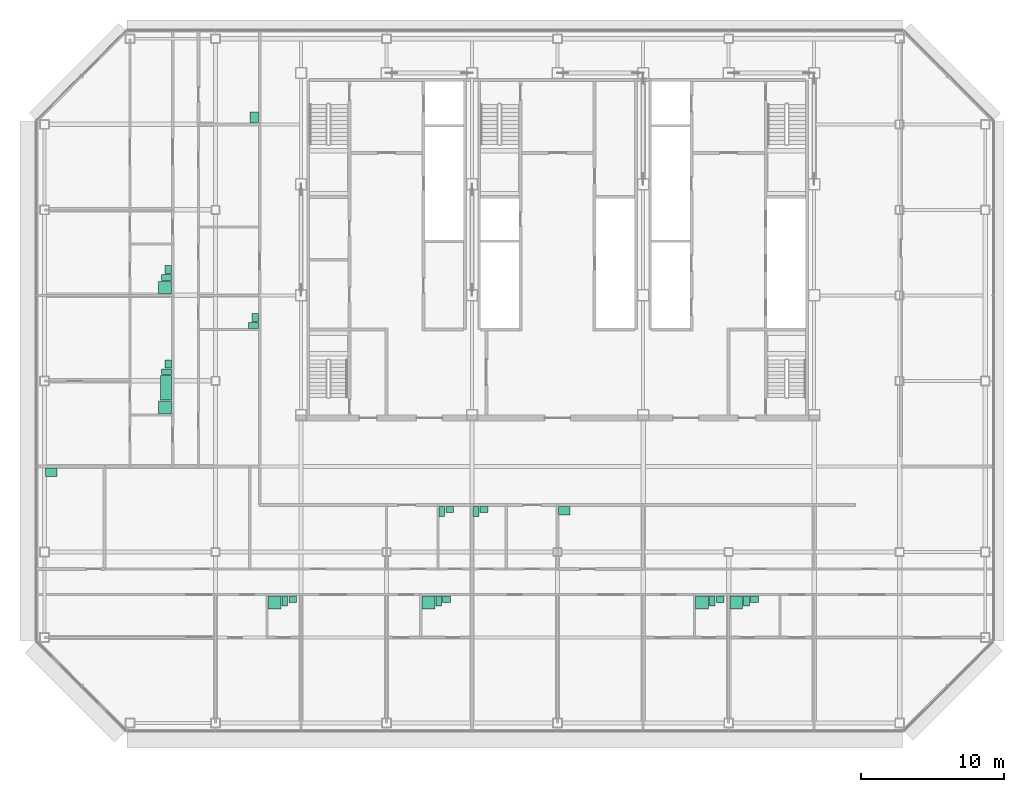
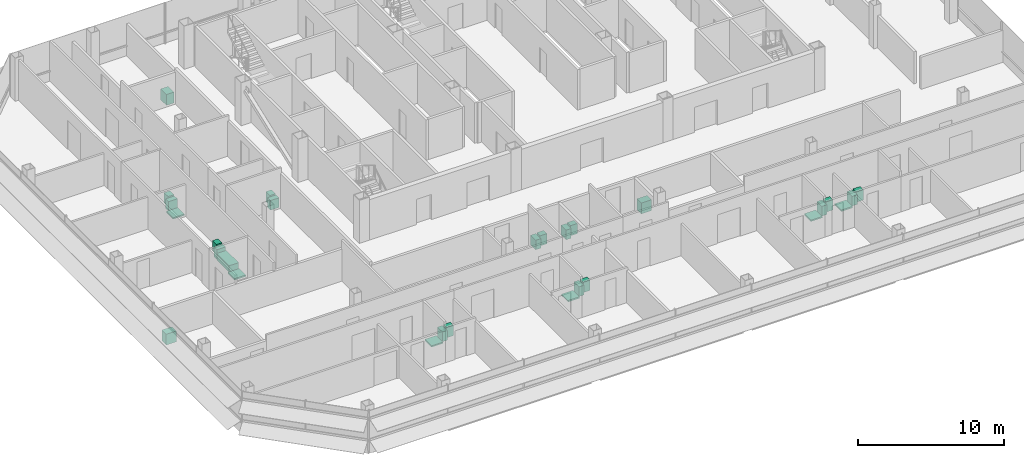
# One storey, part 27 of 27: 28 sanitary terminals.
"""IFC4 building model written with IfcOpenShell, lengths in metres."""

from ifc_helpers import new_model, si_unit, direction, frame, origin, origin_2d, place, context, subcontext, project, spatial, rectangle, extrude, element, save


model = new_model("IFC4")

# Units and contexts
model_context = context("Model", 3, precision=1e-05, world=origin(), true_north=direction((0.0, 1.0)))
body_context = subcontext(model_context, "Body", "Model", "MODEL_VIEW")
ifc_project = project(units=[si_unit("LENGTHUNIT", "METRE"), si_unit("AREAUNIT", "SQUARE_METRE"), si_unit("VOLUMEUNIT", "CUBIC_METRE"), si_unit("PLANEANGLEUNIT", "RADIAN"), si_unit("MASSUNIT", "GRAM", prefix="KILO")], contexts=[model_context])

# Site, building, storey
site_placement = place(None, origin())
site = spatial("IfcSite", under=ifc_project, at=site_placement, CompositionType="ELEMENT")
building_placement = place(site_placement, origin())
building = spatial("IfcBuilding", under=site, at=building_placement, Name="Sorahane Residences", CompositionType="ELEMENT")
storey_placement = place(building_placement, frame((0.0, 0.0, 206.39990234375)))
storey = spatial("IfcBuildingStorey", under=building, at=storey_placement, Name="L48", CompositionType="ELEMENT", Elevation=206.39990234375)

# Sanitary terminals
sanitary_terminal_1_placement = place(storey_placement, frame((4.1298828125, 8.449951171875, 0.0), z_axis=(0.0, 0.0, 1.0), x_axis=(1.0, 0.0, 0.0)))
element("IfcSanitaryTerminal", 1, at=sanitary_terminal_1_placement, inside=storey, Name="Shower tray En-suite bathroom 48A", PredefinedType="SHOWER", context=body_context, shape_type="SweptSolid", body=[
    extrude(rectangle(XDim=0.89990234375, YDim=0.89990234375, at=origin_2d()), origin(), (0.0, 0.0, 1.0), 0.1201171875),
])
sanitary_terminal_2_placement = place(storey_placement, frame((4.860107421875, 8.550048828125, 0.0), z_axis=(0.0, 0.0, 1.0), x_axis=(1.0, 0.0, 0.0)))
element("IfcSanitaryTerminal", 2, at=sanitary_terminal_2_placement, inside=storey, Name="WC pan En-suite bathroom 48A", PredefinedType="TOILETPAN", context=body_context, shape_type="SweptSolid", body=[
    extrude(rectangle(XDim=0.39990234375, YDim=0.699951171875, at=origin_2d()), origin(), (0.0, 0.0, 1.0), 0.800048828125),
])
sanitary_terminal_3_placement = place(storey_placement, frame((5.4150390625, 8.675048828125, 0.0), z_axis=(0.0, 0.0, 1.0), x_axis=(1.0, 0.0, 0.0)))
element("IfcSanitaryTerminal", 3, at=sanitary_terminal_3_placement, inside=storey, Name="Wash basin En-suite bathroom 48A", PredefinedType="WASHHANDBASIN", context=body_context, shape_type="SweptSolid", body=[
    extrude(rectangle(XDim=0.550048828125, YDim=0.449951171875, at=origin_2d()), origin(), (0.0, 0.0, 1.0), 0.85009765625),
])
sanitary_terminal_4_placement = place(storey_placement, frame((14.929931640625, 8.449951171875, 0.0), z_axis=(0.0, 0.0, 1.0), x_axis=(1.0, 0.0, 0.0)))
element("IfcSanitaryTerminal", 4, at=sanitary_terminal_4_placement, inside=storey, Name="Shower tray En-suite bathroom 48A-2", PredefinedType="SHOWER", context=body_context, shape_type="SweptSolid", body=[
    extrude(rectangle(XDim=0.89990234375, YDim=0.89990234375, at=origin_2d()), origin(), (0.0, 0.0, 1.0), 0.1201171875),
])
sanitary_terminal_5_placement = place(storey_placement, frame((15.659912109375, 8.550048828125, 0.0), z_axis=(0.0, 0.0, 1.0), x_axis=(1.0, 0.0, 0.0)))
element("IfcSanitaryTerminal", 5, at=sanitary_terminal_5_placement, inside=storey, Name="WC pan En-suite bathroom 48A-2", PredefinedType="TOILETPAN", context=body_context, shape_type="SweptSolid", body=[
    extrude(rectangle(XDim=0.39990234375, YDim=0.699951171875, at=origin_2d()), origin(), (0.0, 0.0, 1.0), 0.800048828125),
])
sanitary_terminal_6_placement = place(storey_placement, frame((16.215087890625, 8.675048828125, 0.0), z_axis=(0.0, 0.0, 1.0), x_axis=(1.0, 0.0, 0.0)))
element("IfcSanitaryTerminal", 6, at=sanitary_terminal_6_placement, inside=storey, Name="Wash basin En-suite bathroom 48A-2", PredefinedType="WASHHANDBASIN", context=body_context, shape_type="SweptSolid", body=[
    extrude(rectangle(XDim=0.550048828125, YDim=0.449951171875, at=origin_2d()), origin(), (0.0, 0.0, 1.0), 0.85009765625),
])
sanitary_terminal_7_placement = place(storey_placement, frame((-11.52001953125, 17.60009765625, 0.000244140625), z_axis=(0.0, 0.0, 1.0), x_axis=(1.0, 0.0, 0.0)))
element("IfcSanitaryTerminal", 7, at=sanitary_terminal_7_placement, inside=storey, Name="Kitchen sink Kitchen 48A", PredefinedType="SINK", context=body_context, shape_type="SweptSolid", body=[
    extrude(rectangle(XDim=0.800048828125, YDim=0.60009765625, at=origin_2d()), origin(), (0.0, 0.0, 1.0), 0.89990234375),
])
sanitary_terminal_8_placement = place(storey_placement, frame((15.8798828125, 14.85009765625, 0.0), z_axis=(0.0, 0.0, 1.0), x_axis=(1.0, 0.0, 0.0)))
element("IfcSanitaryTerminal", 8, at=sanitary_terminal_8_placement, inside=storey, Name="WC pan Powder room 48A", PredefinedType="TOILETPAN", context=body_context, shape_type="SweptSolid", body=[
    extrude(rectangle(XDim=0.39990234375, YDim=0.699951171875, at=origin_2d()), origin(), (0.0, 0.0, 1.0), 0.800048828125),
])
sanitary_terminal_9_placement = place(storey_placement, frame((16.43505859375, 14.97509765625, 0.0), z_axis=(0.0, 0.0, 1.0), x_axis=(1.0, 0.0, 0.0)))
element("IfcSanitaryTerminal", 9, at=sanitary_terminal_9_placement, inside=storey, Name="Wash basin Powder room 48A", PredefinedType="WASHHANDBASIN", context=body_context, shape_type="SweptSolid", body=[
    extrude(rectangle(XDim=0.550048828125, YDim=0.449951171875, at=origin_2d()), origin(), (0.0, 0.0, 1.0), 0.85009765625),
])
sanitary_terminal_10_placement = place(storey_placement, frame((34.1298828125, 8.449951171875, 0.0), z_axis=(0.0, 0.0, 1.0), x_axis=(1.0, 0.0, 0.0)))
element("IfcSanitaryTerminal", 10, at=sanitary_terminal_10_placement, inside=storey, Name="Shower tray En-suite bathroom 48B", PredefinedType="SHOWER", context=body_context, shape_type="SweptSolid", body=[
    extrude(rectangle(XDim=0.89990234375, YDim=0.89990234375, at=origin_2d()), origin(), (0.0, 0.0, 1.0), 0.1201171875),
])
sanitary_terminal_11_placement = place(storey_placement, frame((34.860107421875, 8.550048828125, 0.0), z_axis=(0.0, 0.0, 1.0), x_axis=(1.0, 0.0, 0.0)))
element("IfcSanitaryTerminal", 11, at=sanitary_terminal_11_placement, inside=storey, Name="WC pan En-suite bathroom 48B", PredefinedType="TOILETPAN", context=body_context, shape_type="SweptSolid", body=[
    extrude(rectangle(XDim=0.39990234375, YDim=0.699951171875, at=origin_2d()), origin(), (0.0, 0.0, 1.0), 0.800048828125),
])
sanitary_terminal_12_placement = place(storey_placement, frame((35.4150390625, 8.675048828125, 0.0), z_axis=(0.0, 0.0, 1.0), x_axis=(1.0, 0.0, 0.0)))
element("IfcSanitaryTerminal", 12, at=sanitary_terminal_12_placement, inside=storey, Name="Wash basin En-suite bathroom 48B", PredefinedType="WASHHANDBASIN", context=body_context, shape_type="SweptSolid", body=[
    extrude(rectangle(XDim=0.550048828125, YDim=0.449951171875, at=origin_2d()), origin(), (0.0, 0.0, 1.0), 0.85009765625),
])
sanitary_terminal_13_placement = place(storey_placement, frame((36.530029296875, 8.449951171875, 0.0), z_axis=(0.0, 0.0, 1.0), x_axis=(1.0, 0.0, 0.0)))
element("IfcSanitaryTerminal", 13, at=sanitary_terminal_13_placement, inside=storey, Name="Shower tray En-suite bathroom 48B-2", PredefinedType="SHOWER", context=body_context, shape_type="SweptSolid", body=[
    extrude(rectangle(XDim=0.89990234375, YDim=0.89990234375, at=origin_2d()), origin(), (0.0, 0.0, 1.0), 0.1201171875),
])
sanitary_terminal_14_placement = place(storey_placement, frame((37.260009765625, 8.550048828125, 0.0), z_axis=(0.0, 0.0, 1.0), x_axis=(1.0, 0.0, 0.0)))
element("IfcSanitaryTerminal", 14, at=sanitary_terminal_14_placement, inside=storey, Name="WC pan En-suite bathroom 48B-2", PredefinedType="TOILETPAN", context=body_context, shape_type="SweptSolid", body=[
    extrude(rectangle(XDim=0.39990234375, YDim=0.699951171875, at=origin_2d()), origin(), (0.0, 0.0, 1.0), 0.800048828125),
])
sanitary_terminal_15_placement = place(storey_placement, frame((37.81494140625, 8.675048828125, 0.0), z_axis=(0.0, 0.0, 1.0), x_axis=(1.0, 0.0, 0.0)))
element("IfcSanitaryTerminal", 15, at=sanitary_terminal_15_placement, inside=storey, Name="Wash basin En-suite bathroom 48B-2", PredefinedType="WASHHANDBASIN", context=body_context, shape_type="SweptSolid", body=[
    extrude(rectangle(XDim=0.550048828125, YDim=0.449951171875, at=origin_2d()), origin(), (0.0, 0.0, 1.0), 0.85009765625),
])
sanitary_terminal_16_placement = place(storey_placement, frame((18.280029296875, 14.85009765625, 0.0), z_axis=(0.0, 0.0, 1.0), x_axis=(1.0, 0.0, 0.0)))
element("IfcSanitaryTerminal", 16, at=sanitary_terminal_16_placement, inside=storey, Name="WC pan Guest WC 48B", PredefinedType="TOILETPAN", context=body_context, shape_type="SweptSolid", body=[
    extrude(rectangle(XDim=0.39990234375, YDim=0.699951171875, at=origin_2d()), origin(), (0.0, 0.0, 1.0), 0.800048828125),
])
sanitary_terminal_17_placement = place(storey_placement, frame((18.8349609375, 14.97509765625, 0.0), z_axis=(0.0, 0.0, 1.0), x_axis=(1.0, 0.0, 0.0)))
element("IfcSanitaryTerminal", 17, at=sanitary_terminal_17_placement, inside=storey, Name="Wash basin Guest WC 48B", PredefinedType="WASHHANDBASIN", context=body_context, shape_type="SweptSolid", body=[
    extrude(rectangle(XDim=0.550048828125, YDim=0.449951171875, at=origin_2d()), origin(), (0.0, 0.0, 1.0), 0.85009765625),
])
sanitary_terminal_18_placement = place(storey_placement, frame((24.47998046875, 14.89990234375, 0.000244140625), z_axis=(0.0, 0.0, 1.0), x_axis=(1.0, 0.0, 0.0)))
element("IfcSanitaryTerminal", 18, at=sanitary_terminal_18_placement, inside=storey, Name="Kitchen sink Kitchen 48B", PredefinedType="SINK", context=body_context, shape_type="SweptSolid", body=[
    extrude(rectangle(XDim=0.800048828125, YDim=0.60009765625, at=origin_2d()), origin(), (0.0, 0.0, 1.0), 0.89990234375),
])
sanitary_terminal_19_placement = place(storey_placement, frame((-3.550048828125, 22.1298828125, 0.0), z_axis=(0.0, 0.0, 1.0), x_axis=(0.0, -1.0, 0.0)))
element("IfcSanitaryTerminal", 19, at=sanitary_terminal_19_placement, inside=storey, Name="Shower tray En-suite bathroom 48C", PredefinedType="SHOWER", context=body_context, shape_type="SweptSolid", body=[
    extrude(rectangle(XDim=0.89990234375, YDim=0.89990234375, at=origin_2d()), origin(), (0.0, 0.0, 1.0), 0.1201171875),
])
sanitary_terminal_20_placement = place(storey_placement, frame((-3.47509765625, 23.510009765625, 0.0), z_axis=(0.0, 0.0, 1.0), x_axis=(0.0, -1.0, 0.0)))
element("IfcSanitaryTerminal", 20, at=sanitary_terminal_20_placement, inside=storey, Name="Bath En-suite bathroom 48C", PredefinedType="BATH", context=body_context, shape_type="SweptSolid", body=[
    extrude(rectangle(XDim=1.699951171875, YDim=0.75, at=origin_2d()), origin(), (0.0, 0.0, 1.0), 0.56005859375),
])
sanitary_terminal_21_placement = place(storey_placement, frame((-3.449951171875, 24.639892578125, 0.0), z_axis=(0.0, 0.0, 1.0), x_axis=(0.0, -1.0, 0.0)))
element("IfcSanitaryTerminal", 21, at=sanitary_terminal_21_placement, inside=storey, Name="WC pan En-suite bathroom 48C", PredefinedType="TOILETPAN", context=body_context, shape_type="SweptSolid", body=[
    extrude(rectangle(XDim=0.39990234375, YDim=0.699951171875, at=origin_2d()), origin(), (0.0, 0.0, 1.0), 0.800048828125),
])
sanitary_terminal_22_placement = place(storey_placement, frame((-3.324951171875, 25.195068359375, 0.0), z_axis=(0.0, 0.0, 1.0), x_axis=(0.0, -1.0, 0.0)))
element("IfcSanitaryTerminal", 22, at=sanitary_terminal_22_placement, inside=storey, Name="Wash basin En-suite bathroom 48C", PredefinedType="WASHHANDBASIN", context=body_context, shape_type="SweptSolid", body=[
    extrude(rectangle(XDim=0.550048828125, YDim=0.449951171875, at=origin_2d()), origin(), (0.0, 0.0, 1.0), 0.85009765625),
])
sanitary_terminal_23_placement = place(storey_placement, frame((-3.550048828125, 30.530029296875, 0.0), z_axis=(0.0, 0.0, 1.0), x_axis=(0.0, -1.0, 0.0)))
element("IfcSanitaryTerminal", 23, at=sanitary_terminal_23_placement, inside=storey, Name="Shower tray En-suite bathroom 48C-2", PredefinedType="SHOWER", context=body_context, shape_type="SweptSolid", body=[
    extrude(rectangle(XDim=0.89990234375, YDim=0.89990234375, at=origin_2d()), origin(), (0.0, 0.0, 1.0), 0.1201171875),
])
sanitary_terminal_24_placement = place(storey_placement, frame((-3.449951171875, 31.260009765625, 0.0), z_axis=(0.0, 0.0, 1.0), x_axis=(0.0, -1.0, 0.0)))
element("IfcSanitaryTerminal", 24, at=sanitary_terminal_24_placement, inside=storey, Name="WC pan En-suite bathroom 48C-2", PredefinedType="TOILETPAN", context=body_context, shape_type="SweptSolid", body=[
    extrude(rectangle(XDim=0.39990234375, YDim=0.699951171875, at=origin_2d()), origin(), (0.0, 0.0, 1.0), 0.800048828125),
])
sanitary_terminal_25_placement = place(storey_placement, frame((-3.324951171875, 31.81494140625, 0.0), z_axis=(0.0, 0.0, 1.0), x_axis=(0.0, -1.0, 0.0)))
element("IfcSanitaryTerminal", 25, at=sanitary_terminal_25_placement, inside=storey, Name="Wash basin En-suite bathroom 48C-2", PredefinedType="WASHHANDBASIN", context=body_context, shape_type="SweptSolid", body=[
    extrude(rectangle(XDim=0.550048828125, YDim=0.449951171875, at=origin_2d()), origin(), (0.0, 0.0, 1.0), 0.85009765625),
])
sanitary_terminal_26_placement = place(storey_placement, frame((2.64990234375, 27.8798828125, 0.0), z_axis=(0.0, 0.0, 1.0), x_axis=(0.0, -1.0, 0.0)))
element("IfcSanitaryTerminal", 26, at=sanitary_terminal_26_placement, inside=storey, Name="WC pan Powder room 48C", PredefinedType="TOILETPAN", context=body_context, shape_type="SweptSolid", body=[
    extrude(rectangle(XDim=0.39990234375, YDim=0.699951171875, at=origin_2d()), origin(), (0.0, 0.0, 1.0), 0.800048828125),
])
sanitary_terminal_27_placement = place(storey_placement, frame((2.77490234375, 28.43505859375, 0.0), z_axis=(0.0, 0.0, 1.0), x_axis=(0.0, -1.0, 0.0)))
element("IfcSanitaryTerminal", 27, at=sanitary_terminal_27_placement, inside=storey, Name="Wash basin Powder room 48C", PredefinedType="WASHHANDBASIN", context=body_context, shape_type="SweptSolid", body=[
    extrude(rectangle(XDim=0.550048828125, YDim=0.449951171875, at=origin_2d()), origin(), (0.0, 0.0, 1.0), 0.85009765625),
])
sanitary_terminal_28_placement = place(storey_placement, frame((2.699951171875, 42.47998046875, 0.000244140625), z_axis=(0.0, 0.0, 1.0), x_axis=(0.0, -1.0, 0.0)))
element("IfcSanitaryTerminal", 28, at=sanitary_terminal_28_placement, inside=storey, Name="Kitchen sink Kitchen 48C", PredefinedType="SINK", context=body_context, shape_type="SweptSolid", body=[
    extrude(rectangle(XDim=0.800048828125, YDim=0.60009765625, at=origin_2d()), origin(), (0.0, 0.0, 1.0), 0.89990234375),
])

save(model, "model.ifc")
